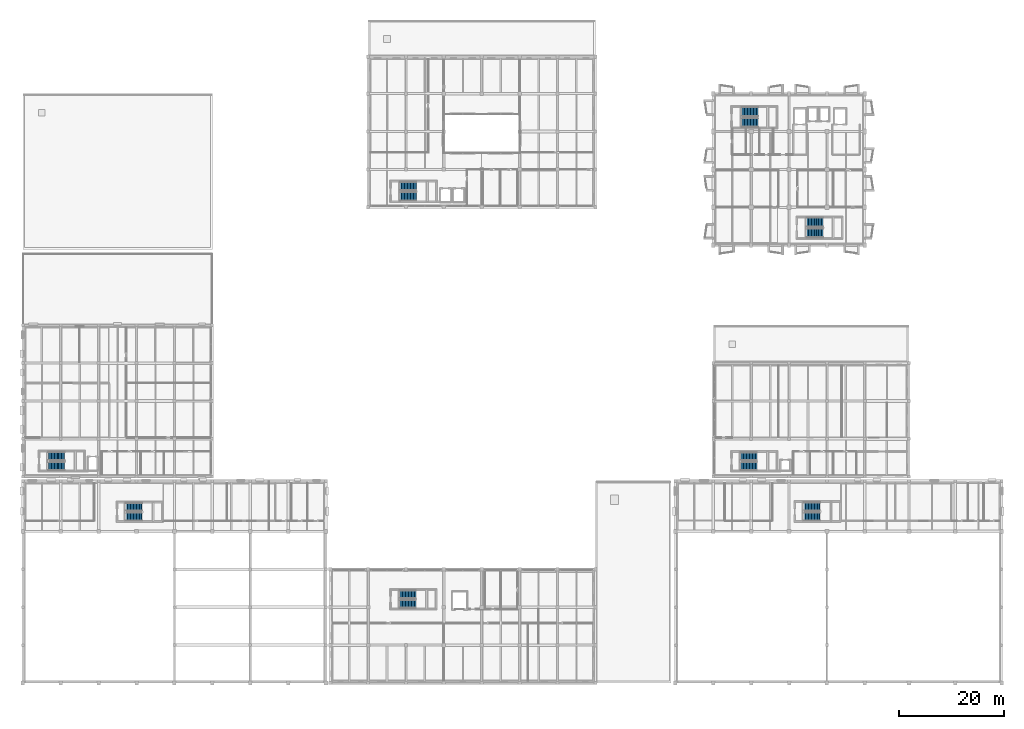
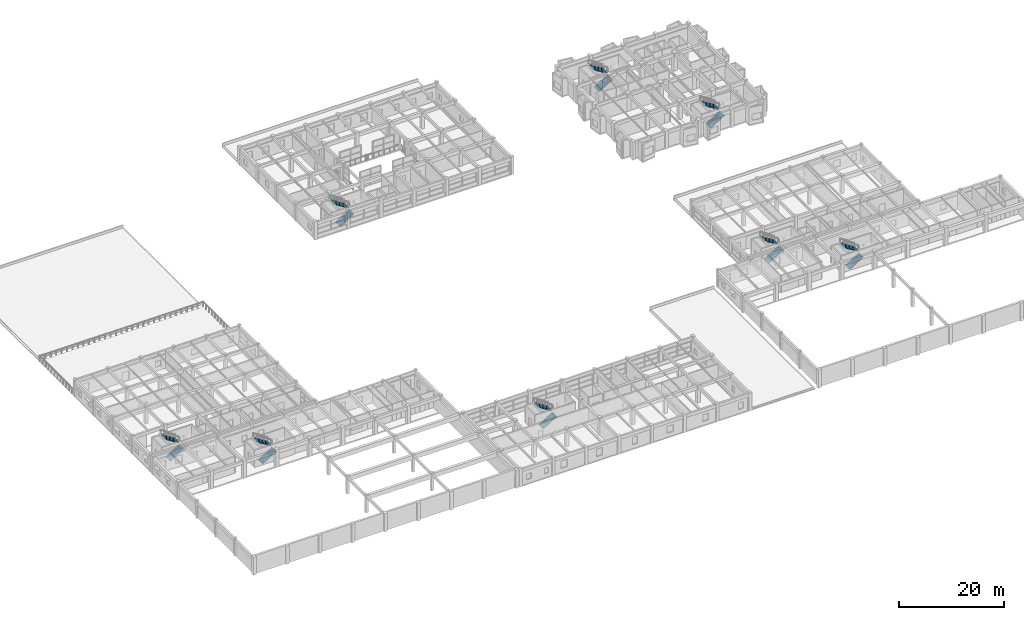
# One storey, part 58 of 67: 16 stair flights, 8 elements without a shape of their own.
"""IFC4 building model written with IfcOpenShell, lengths in metres."""

from ifc_helpers import new_model, si_unit, direction, frame, origin, place, context, subcontext, project, spatial, polyline, outline, extrude, material, type_object, element, aggregate, save


model = new_model("IFC4")

# Units and contexts
model_context = context("Model", 3, precision=1e-05, world=origin(), true_north=direction((0.0, 1.0)))
body_context = subcontext(model_context, "Body", "Model", "MODEL_VIEW")
ifc_project = project(units=[si_unit("LENGTHUNIT", "METRE"), si_unit("AREAUNIT", "SQUARE_METRE"), si_unit("VOLUMEUNIT", "CUBIC_METRE"), si_unit("PLANEANGLEUNIT", "RADIAN"), si_unit("MASSUNIT", "GRAM", prefix="KILO")], contexts=[model_context])

# Site, building, storey
site_placement = place(None, origin())
site = spatial("IfcSite", under=ifc_project, at=site_placement, CompositionType="ELEMENT")
building_placement = place(site_placement, origin())
building = spatial("IfcBuilding", under=site, at=building_placement, Name="Bramveld Media Centre", CompositionType="ELEMENT")
storey_placement = place(building_placement, frame((0.0, 0.0, 5.39990234375)))
storey = spatial("IfcBuildingStorey", under=building, at=storey_placement, Name="L01", CompositionType="ELEMENT", Elevation=5.39990234375)

# Stair, stair flights
ifc_material_1 = material(Name="Concrete C40/50", Category="concrete")
stair_type_1 = type_object("IfcStairType", Name="STAIR-ST-01-24R-1800", PredefinedType="HALF_TURN_STAIR", material=ifc_material_1)
stair_1_placement = place(storey_placement, origin())
stair_1 = element("IfcStair", 1, at=stair_1_placement, inside=storey, type_object=stair_type_1, Name="L01 Core A1 Pressurized Firefighting Stair", PredefinedType="HALF_TURN_STAIR")
ifc_material_2 = material(Name="Concrete C40/50", Category="concrete")
stair_flight_type_1 = type_object("IfcStairFlightType", Name="FLIGHT-ST-01-12R-1750", PredefinedType="STRAIGHT", material=ifc_material_2)
stair_flight_1_placement = place(storey_placement, frame((136.60009765625, 106.5, 0.0), z_axis=(0.0, 0.0, 1.0), x_axis=(1.0, 0.0, 0.0)))
stair_flight_1 = element("IfcStairFlight", 2, at=stair_flight_1_placement, type_object=stair_flight_type_1, Name="ST-01 flight 1", NumberOfRisers=12, NumberOfTreads=11, PredefinedType="STRAIGHT", RiserHeight=0.175, TreadLength=0.28, context=body_context, shape_type="SweptSolid", body=[
    extrude(outline(polyline([(0.0, 0.0), (0.0, 0.175048828125), (0.280029296875, 0.175048828125), (0.280029296875, 0.35009765625), (0.56005859375, 0.35009765625), (0.56005859375, 0.52490234375), (0.840087890625, 0.52490234375), (0.840087890625, 0.699951171875), (1.1201171875, 0.699951171875), (1.1201171875, 0.875), (1.39990234375, 0.875), (1.39990234375, 1.050048828125), (1.679931640625, 1.050048828125), (1.679931640625, 1.22509765625), (1.9599609375, 1.22509765625), (1.9599609375, 1.39990234375), (2.239990234375, 1.39990234375), (2.239990234375, 1.574951171875), (2.52001953125, 1.574951171875), (2.52001953125, 1.75), (2.800048828125, 1.75), (2.800048828125, 1.925048828125), (3.080078125, 1.925048828125), (3.080078125, 2.10009765625), (3.080078125, 1.736328125), (0.3017578125, 0.0), (0.0, 0.0)])), frame((0.0, 0.89990234375, 0.0), z_axis=(0.0, -1.0, 0.0), x_axis=(1.0, 0.0, 0.0)), (0.0, 0.0, 1.0), 1.800048828125),
])
stair_flight_2_placement = place(storey_placement, frame((139.679931640625, 108.550048828125, 2.10009765625), z_axis=(0.0, 0.0, 1.0), x_axis=(-1.0, 0.0, 0.0)))
stair_flight_2 = element("IfcStairFlight", 3, at=stair_flight_2_placement, type_object=stair_flight_type_1, Name="ST-01 flight 2", NumberOfRisers=12, NumberOfTreads=11, PredefinedType="STRAIGHT", RiserHeight=0.175, TreadLength=0.28, context=body_context, shape_type="SweptSolid", body=[
    extrude(outline(polyline([(0.0, 0.0), (0.0, 0.175048828125), (0.280029296875, 0.175048828125), (0.280029296875, 0.35009765625), (0.56005859375, 0.35009765625), (0.56005859375, 0.52490234375), (0.840087890625, 0.52490234375), (0.840087890625, 0.699951171875), (1.1201171875, 0.699951171875), (1.1201171875, 0.875), (1.39990234375, 0.875), (1.39990234375, 1.050048828125), (1.679931640625, 1.050048828125), (1.679931640625, 1.22509765625), (1.9599609375, 1.22509765625), (1.9599609375, 1.39990234375), (2.239990234375, 1.39990234375), (2.239990234375, 1.574951171875), (2.52001953125, 1.574951171875), (2.52001953125, 1.75), (2.800048828125, 1.75), (2.800048828125, 1.925048828125), (3.080078125, 1.925048828125), (3.080078125, 2.10009765625), (3.080078125, 1.736328125), (0.3017578125, 0.0), (0.0, 0.0)])), frame((0.0, 0.89990234375, 0.0), z_axis=(0.0, -1.0, 0.0), x_axis=(1.0, 0.0, 0.0)), (0.0, 0.0, 1.0), 1.800048828125),
])
aggregate(stair_1, [stair_flight_1, stair_flight_2])

ifc_material_3 = material(Name="Concrete C40/50", Category="concrete")
stair_type_2 = type_object("IfcStairType", Name="STAIR-ST-02-24R-1800", PredefinedType="HALF_TURN_STAIR", material=ifc_material_3)
stair_2_placement = place(storey_placement, origin())
stair_2 = element("IfcStair", 4, at=stair_2_placement, inside=storey, type_object=stair_type_2, Name="L01 Core A2 Pressurized Escape Stair", PredefinedType="HALF_TURN_STAIR")
ifc_material_4 = material(Name="Concrete C40/50", Category="concrete")
stair_flight_type_2 = type_object("IfcStairFlightType", Name="FLIGHT-ST-02-12R-1750", PredefinedType="STRAIGHT", material=ifc_material_4)
stair_flight_3_placement = place(storey_placement, frame((149.0, 85.5, 0.0), z_axis=(0.0, 0.0, 1.0), x_axis=(1.0, 0.0, 0.0)))
stair_flight_3 = element("IfcStairFlight", 5, at=stair_flight_3_placement, type_object=stair_flight_type_2, Name="ST-02 flight 1", NumberOfRisers=12, NumberOfTreads=11, PredefinedType="STRAIGHT", RiserHeight=0.175, TreadLength=0.28, context=body_context, shape_type="SweptSolid", body=[
    extrude(outline(polyline([(0.0, 0.0), (0.0, 0.175048828125), (0.280029296875, 0.175048828125), (0.280029296875, 0.35009765625), (0.56005859375, 0.35009765625), (0.56005859375, 0.52490234375), (0.840087890625, 0.52490234375), (0.840087890625, 0.699951171875), (1.1201171875, 0.699951171875), (1.1201171875, 0.875), (1.39990234375, 0.875), (1.39990234375, 1.050048828125), (1.679931640625, 1.050048828125), (1.679931640625, 1.22509765625), (1.9599609375, 1.22509765625), (1.9599609375, 1.39990234375), (2.239990234375, 1.39990234375), (2.239990234375, 1.574951171875), (2.52001953125, 1.574951171875), (2.52001953125, 1.75), (2.800048828125, 1.75), (2.800048828125, 1.925048828125), (3.080078125, 1.925048828125), (3.080078125, 2.10009765625), (3.080078125, 1.736328125), (0.3017578125, 0.0), (0.0, 0.0)])), frame((0.0, 0.89990234375, 0.0), z_axis=(0.0, -1.0, 0.0), x_axis=(1.0, 0.0, 0.0)), (0.0, 0.0, 1.0), 1.800048828125),
])
stair_flight_4_placement = place(storey_placement, frame((152.080078125, 87.550048828125, 2.10009765625), z_axis=(0.0, 0.0, 1.0), x_axis=(-1.0, 0.0, 0.0)))
stair_flight_4 = element("IfcStairFlight", 6, at=stair_flight_4_placement, type_object=stair_flight_type_2, Name="ST-02 flight 2", NumberOfRisers=12, NumberOfTreads=11, PredefinedType="STRAIGHT", RiserHeight=0.175, TreadLength=0.28, context=body_context, shape_type="SweptSolid", body=[
    extrude(outline(polyline([(0.0, 0.0), (0.0, 0.175048828125), (0.280029296875, 0.175048828125), (0.280029296875, 0.35009765625), (0.56005859375, 0.35009765625), (0.56005859375, 0.52490234375), (0.840087890625, 0.52490234375), (0.840087890625, 0.699951171875), (1.1201171875, 0.699951171875), (1.1201171875, 0.875), (1.39990234375, 0.875), (1.39990234375, 1.050048828125), (1.679931640625, 1.050048828125), (1.679931640625, 1.22509765625), (1.9599609375, 1.22509765625), (1.9599609375, 1.39990234375), (2.239990234375, 1.39990234375), (2.239990234375, 1.574951171875), (2.52001953125, 1.574951171875), (2.52001953125, 1.75), (2.800048828125, 1.75), (2.800048828125, 1.925048828125), (3.080078125, 1.925048828125), (3.080078125, 2.10009765625), (3.080078125, 1.736328125), (0.3017578125, 0.0), (0.0, 0.0)])), frame((0.0, 0.89990234375, 0.0), z_axis=(0.0, -1.0, 0.0), x_axis=(1.0, 0.0, 0.0)), (0.0, 0.0, 1.0), 1.800048828125),
])
aggregate(stair_2, [stair_flight_3, stair_flight_4])

ifc_material_5 = material(Name="Concrete C40/50", Category="concrete")
stair_type_3 = type_object("IfcStairType", Name="STAIR-ST-03-24R-1650", PredefinedType="HALF_TURN_STAIR", material=ifc_material_5)
stair_3_placement = place(storey_placement, origin())
stair_3 = element("IfcStair", 7, at=stair_3_placement, inside=storey, type_object=stair_type_3, Name="L01 Grand Cinema Wing Escape Stair", PredefinedType="HALF_TURN_STAIR")
ifc_material_6 = material(Name="Concrete C40/50", Category="concrete")
stair_flight_type_3 = type_object("IfcStairFlightType", Name="FLIGHT-ST-03-12R-1750", PredefinedType="STRAIGHT", material=ifc_material_6)
stair_flight_5_placement = place(storey_placement, frame((148.449951171875, 31.625, 0.0), z_axis=(0.0, 0.0, 1.0), x_axis=(1.0, 0.0, 0.0)))
stair_flight_5 = element("IfcStairFlight", 8, at=stair_flight_5_placement, type_object=stair_flight_type_3, Name="ST-03 flight 1", NumberOfRisers=12, NumberOfTreads=11, PredefinedType="STRAIGHT", RiserHeight=0.175, TreadLength=0.28, context=body_context, shape_type="SweptSolid", body=[
    extrude(outline(polyline([(0.0, 0.0), (0.0, 0.175048828125), (0.280029296875, 0.175048828125), (0.280029296875, 0.35009765625), (0.56005859375, 0.35009765625), (0.56005859375, 0.52490234375), (0.840087890625, 0.52490234375), (0.840087890625, 0.699951171875), (1.1201171875, 0.699951171875), (1.1201171875, 0.875), (1.39990234375, 0.875), (1.39990234375, 1.050048828125), (1.679931640625, 1.050048828125), (1.679931640625, 1.22509765625), (1.9599609375, 1.22509765625), (1.9599609375, 1.39990234375), (2.239990234375, 1.39990234375), (2.239990234375, 1.574951171875), (2.52001953125, 1.574951171875), (2.52001953125, 1.75), (2.800048828125, 1.75), (2.800048828125, 1.925048828125), (3.080078125, 1.925048828125), (3.080078125, 2.10009765625), (3.080078125, 1.736328125), (0.3017578125, 0.0), (0.0, 0.0)])), frame((0.0, 0.824951171875, 0.0), z_axis=(0.0, -1.0, 0.0), x_axis=(1.0, 0.0, 0.0)), (0.0, 0.0, 1.0), 1.64990234375),
])
stair_flight_6_placement = place(storey_placement, frame((151.530029296875, 33.52490234375, 2.10009765625), z_axis=(0.0, 0.0, 1.0), x_axis=(-1.0, 0.0, 0.0)))
stair_flight_6 = element("IfcStairFlight", 9, at=stair_flight_6_placement, type_object=stair_flight_type_3, Name="ST-03 flight 2", NumberOfRisers=12, NumberOfTreads=11, PredefinedType="STRAIGHT", RiserHeight=0.175, TreadLength=0.28, context=body_context, shape_type="SweptSolid", body=[
    extrude(outline(polyline([(0.0, 0.0), (0.0, 0.175048828125), (0.280029296875, 0.175048828125), (0.280029296875, 0.35009765625), (0.56005859375, 0.35009765625), (0.56005859375, 0.52490234375), (0.840087890625, 0.52490234375), (0.840087890625, 0.699951171875), (1.1201171875, 0.699951171875), (1.1201171875, 0.875), (1.39990234375, 0.875), (1.39990234375, 1.050048828125), (1.679931640625, 1.050048828125), (1.679931640625, 1.22509765625), (1.9599609375, 1.22509765625), (1.9599609375, 1.39990234375), (2.239990234375, 1.39990234375), (2.239990234375, 1.574951171875), (2.52001953125, 1.574951171875), (2.52001953125, 1.75), (2.800048828125, 1.75), (2.800048828125, 1.925048828125), (3.080078125, 1.925048828125), (3.080078125, 2.10009765625), (3.080078125, 1.736328125), (0.3017578125, 0.0), (0.0, 0.0)])), frame((0.0, 0.824951171875, 0.0), z_axis=(0.0, -1.0, 0.0), x_axis=(1.0, 0.0, 0.0)), (0.0, 0.0, 1.0), 1.64990234375),
])
aggregate(stair_3, [stair_flight_5, stair_flight_6])

ifc_material_7 = material(Name="Concrete C40/50", Category="concrete")
stair_type_4 = type_object("IfcStairType", Name="STAIR-ST-04-24R-1650", PredefinedType="HALF_TURN_STAIR", material=ifc_material_7)
stair_4_placement = place(storey_placement, origin())
stair_4 = element("IfcStair", 10, at=stair_4_placement, inside=storey, type_object=stair_type_4, Name="L01 Repertory Cinema & Rooftop Terrace Stair", PredefinedType="HALF_TURN_STAIR")
ifc_material_8 = material(Name="Concrete C40/50", Category="concrete")
stair_flight_type_4 = type_object("IfcStairFlightType", Name="FLIGHT-ST-04-12R-1750", PredefinedType="STRAIGHT", material=ifc_material_8)
stair_flight_7_placement = place(storey_placement, frame((4.85009765625, 41.22509765625, 0.0), z_axis=(0.0, 0.0, 1.0), x_axis=(1.0, 0.0, 0.0)))
stair_flight_7 = element("IfcStairFlight", 11, at=stair_flight_7_placement, type_object=stair_flight_type_4, Name="ST-04 flight 1", NumberOfRisers=12, NumberOfTreads=11, PredefinedType="STRAIGHT", RiserHeight=0.175, TreadLength=0.28, context=body_context, shape_type="SweptSolid", body=[
    extrude(outline(polyline([(0.0, 0.0), (0.0, 0.175048828125), (0.280029296875, 0.175048828125), (0.280029296875, 0.35009765625), (0.56005859375, 0.35009765625), (0.56005859375, 0.52490234375), (0.840087890625, 0.52490234375), (0.840087890625, 0.699951171875), (1.1201171875, 0.699951171875), (1.1201171875, 0.875), (1.39990234375, 0.875), (1.39990234375, 1.050048828125), (1.679931640625, 1.050048828125), (1.679931640625, 1.22509765625), (1.9599609375, 1.22509765625), (1.9599609375, 1.39990234375), (2.239990234375, 1.39990234375), (2.239990234375, 1.574951171875), (2.52001953125, 1.574951171875), (2.52001953125, 1.75), (2.800048828125, 1.75), (2.800048828125, 1.925048828125), (3.080078125, 1.925048828125), (3.080078125, 2.10009765625), (3.080078125, 1.736328125), (0.3017578125, 0.0), (0.0, 0.0)])), frame((0.0, 0.824951171875, 0.0), z_axis=(0.0, -1.0, 0.0), x_axis=(1.0, 0.0, 0.0)), (0.0, 0.0, 1.0), 1.64990234375),
])
stair_flight_8_placement = place(storey_placement, frame((7.929931640625, 43.125, 2.10009765625), z_axis=(0.0, 0.0, 1.0), x_axis=(-1.0, 0.0, 0.0)))
stair_flight_8 = element("IfcStairFlight", 12, at=stair_flight_8_placement, type_object=stair_flight_type_4, Name="ST-04 flight 2", NumberOfRisers=12, NumberOfTreads=11, PredefinedType="STRAIGHT", RiserHeight=0.175, TreadLength=0.28, context=body_context, shape_type="SweptSolid", body=[
    extrude(outline(polyline([(0.0, 0.0), (0.0, 0.175048828125), (0.280029296875, 0.175048828125), (0.280029296875, 0.35009765625), (0.56005859375, 0.35009765625), (0.56005859375, 0.52490234375), (0.840087890625, 0.52490234375), (0.840087890625, 0.699951171875), (1.1201171875, 0.699951171875), (1.1201171875, 0.875), (1.39990234375, 0.875), (1.39990234375, 1.050048828125), (1.679931640625, 1.050048828125), (1.679931640625, 1.22509765625), (1.9599609375, 1.22509765625), (1.9599609375, 1.39990234375), (2.239990234375, 1.39990234375), (2.239990234375, 1.574951171875), (2.52001953125, 1.574951171875), (2.52001953125, 1.75), (2.800048828125, 1.75), (2.800048828125, 1.925048828125), (3.080078125, 1.925048828125), (3.080078125, 2.10009765625), (3.080078125, 1.736328125), (0.3017578125, 0.0), (0.0, 0.0)])), frame((0.0, 0.824951171875, 0.0), z_axis=(0.0, -1.0, 0.0), x_axis=(1.0, 0.0, 0.0)), (0.0, 0.0, 1.0), 1.64990234375),
])
aggregate(stair_4, [stair_flight_7, stair_flight_8])

ifc_material_9 = material(Name="Concrete C40/50", Category="concrete")
stair_type_5 = type_object("IfcStairType", Name="STAIR-ST-05-24R-1600", PredefinedType="HALF_TURN_STAIR", material=ifc_material_9)
stair_5_placement = place(storey_placement, origin())
stair_5 = element("IfcStair", 13, at=stair_5_placement, inside=storey, type_object=stair_type_5, Name="L01 Broadcast Studio Gallery Stair", PredefinedType="HALF_TURN_STAIR")
ifc_material_10 = material(Name="Concrete C40/50", Category="concrete")
stair_flight_type_5 = type_object("IfcStairFlightType", Name="FLIGHT-ST-05-12R-1750", PredefinedType="STRAIGHT", material=ifc_material_10)
stair_flight_9_placement = place(storey_placement, frame((19.60009765625, 31.60009765625, 0.0), z_axis=(0.0, 0.0, 1.0), x_axis=(1.0, 0.0, 0.0)))
stair_flight_9 = element("IfcStairFlight", 14, at=stair_flight_9_placement, type_object=stair_flight_type_5, Name="ST-05 flight 1", NumberOfRisers=12, NumberOfTreads=11, PredefinedType="STRAIGHT", RiserHeight=0.175, TreadLength=0.28, context=body_context, shape_type="SweptSolid", body=[
    extrude(outline(polyline([(0.0, 0.0), (0.0, 0.175048828125), (0.280029296875, 0.175048828125), (0.280029296875, 0.35009765625), (0.56005859375, 0.35009765625), (0.56005859375, 0.52490234375), (0.840087890625, 0.52490234375), (0.840087890625, 0.699951171875), (1.1201171875, 0.699951171875), (1.1201171875, 0.875), (1.39990234375, 0.875), (1.39990234375, 1.050048828125), (1.679931640625, 1.050048828125), (1.679931640625, 1.22509765625), (1.9599609375, 1.22509765625), (1.9599609375, 1.39990234375), (2.239990234375, 1.39990234375), (2.239990234375, 1.574951171875), (2.52001953125, 1.574951171875), (2.52001953125, 1.75), (2.800048828125, 1.75), (2.800048828125, 1.925048828125), (3.080078125, 1.925048828125), (3.080078125, 2.10009765625), (3.080078125, 1.736328125), (0.3017578125, 0.0), (0.0, 0.0)])), frame((0.0, 0.800048828125, 0.0), z_axis=(0.0, -1.0, 0.0), x_axis=(1.0, 0.0, 0.0)), (0.0, 0.0, 1.0), 1.60009765625),
])
stair_flight_10_placement = place(storey_placement, frame((22.679931640625, 33.449951171875, 2.10009765625), z_axis=(0.0, 0.0, 1.0), x_axis=(-1.0, 0.0, 0.0)))
stair_flight_10 = element("IfcStairFlight", 15, at=stair_flight_10_placement, type_object=stair_flight_type_5, Name="ST-05 flight 2", NumberOfRisers=12, NumberOfTreads=11, PredefinedType="STRAIGHT", RiserHeight=0.175, TreadLength=0.28, context=body_context, shape_type="SweptSolid", body=[
    extrude(outline(polyline([(0.0, 0.0), (0.0, 0.175048828125), (0.280029296875, 0.175048828125), (0.280029296875, 0.35009765625), (0.56005859375, 0.35009765625), (0.56005859375, 0.52490234375), (0.840087890625, 0.52490234375), (0.840087890625, 0.699951171875), (1.1201171875, 0.699951171875), (1.1201171875, 0.875), (1.39990234375, 0.875), (1.39990234375, 1.050048828125), (1.679931640625, 1.050048828125), (1.679931640625, 1.22509765625), (1.9599609375, 1.22509765625), (1.9599609375, 1.39990234375), (2.239990234375, 1.39990234375), (2.239990234375, 1.574951171875), (2.52001953125, 1.574951171875), (2.52001953125, 1.75), (2.800048828125, 1.75), (2.800048828125, 1.925048828125), (3.080078125, 1.925048828125), (3.080078125, 2.10009765625), (3.080078125, 1.736328125), (0.3017578125, 0.0), (0.0, 0.0)])), frame((0.0, 0.800048828125, 0.0), z_axis=(0.0, -1.0, 0.0), x_axis=(1.0, 0.0, 0.0)), (0.0, 0.0, 1.0), 1.60009765625),
])
aggregate(stair_5, [stair_flight_9, stair_flight_10])

ifc_material_11 = material(Name="Concrete C40/50", Category="concrete")
stair_type_6 = type_object("IfcStairType", Name="STAIR-ST-06-24R-1600", PredefinedType="HALF_TURN_STAIR", material=ifc_material_11)
stair_6_placement = place(storey_placement, origin())
stair_6 = element("IfcStair", 16, at=stair_6_placement, inside=storey, type_object=stair_type_6, Name="L01 Mediatheque & Vault Wing Stair", PredefinedType="HALF_TURN_STAIR")
ifc_material_12 = material(Name="Concrete C40/50", Category="concrete")
stair_flight_type_6 = type_object("IfcStairFlightType", Name="FLIGHT-ST-06-12R-1750", PredefinedType="STRAIGHT", material=ifc_material_12)
stair_flight_11_placement = place(storey_placement, frame((71.60009765625, 15.0, 0.0), z_axis=(0.0, 0.0, 1.0), x_axis=(1.0, 0.0, 0.0)))
stair_flight_11 = element("IfcStairFlight", 17, at=stair_flight_11_placement, type_object=stair_flight_type_6, Name="ST-06 flight 1", NumberOfRisers=12, NumberOfTreads=11, PredefinedType="STRAIGHT", RiserHeight=0.175, TreadLength=0.28, context=body_context, shape_type="SweptSolid", body=[
    extrude(outline(polyline([(0.0, 0.0), (0.0, 0.175048828125), (0.280029296875, 0.175048828125), (0.280029296875, 0.35009765625), (0.56005859375, 0.35009765625), (0.56005859375, 0.52490234375), (0.840087890625, 0.52490234375), (0.840087890625, 0.699951171875), (1.1201171875, 0.699951171875), (1.1201171875, 0.875), (1.39990234375, 0.875), (1.39990234375, 1.050048828125), (1.679931640625, 1.050048828125), (1.679931640625, 1.22509765625), (1.9599609375, 1.22509765625), (1.9599609375, 1.39990234375), (2.239990234375, 1.39990234375), (2.239990234375, 1.574951171875), (2.52001953125, 1.574951171875), (2.52001953125, 1.75), (2.800048828125, 1.75), (2.800048828125, 1.925048828125), (3.080078125, 1.925048828125), (3.080078125, 2.10009765625), (3.080078125, 1.736328125), (0.3017578125, 0.0), (0.0, 0.0)])), frame((0.0, 0.800048828125, 0.0), z_axis=(0.0, -1.0, 0.0), x_axis=(1.0, 0.0, 0.0)), (0.0, 0.0, 1.0), 1.60009765625),
])
stair_flight_12_placement = place(storey_placement, frame((74.679931640625, 16.85009765625, 2.10009765625), z_axis=(0.0, 0.0, 1.0), x_axis=(-1.0, 0.0, 0.0)))
stair_flight_12 = element("IfcStairFlight", 18, at=stair_flight_12_placement, type_object=stair_flight_type_6, Name="ST-06 flight 2", NumberOfRisers=12, NumberOfTreads=11, PredefinedType="STRAIGHT", RiserHeight=0.175, TreadLength=0.28, context=body_context, shape_type="SweptSolid", body=[
    extrude(outline(polyline([(0.0, 0.0), (0.0, 0.175048828125), (0.280029296875, 0.175048828125), (0.280029296875, 0.35009765625), (0.56005859375, 0.35009765625), (0.56005859375, 0.52490234375), (0.840087890625, 0.52490234375), (0.840087890625, 0.699951171875), (1.1201171875, 0.699951171875), (1.1201171875, 0.875), (1.39990234375, 0.875), (1.39990234375, 1.050048828125), (1.679931640625, 1.050048828125), (1.679931640625, 1.22509765625), (1.9599609375, 1.22509765625), (1.9599609375, 1.39990234375), (2.239990234375, 1.39990234375), (2.239990234375, 1.574951171875), (2.52001953125, 1.574951171875), (2.52001953125, 1.75), (2.800048828125, 1.75), (2.800048828125, 1.925048828125), (3.080078125, 1.925048828125), (3.080078125, 2.10009765625), (3.080078125, 1.736328125), (0.3017578125, 0.0), (0.0, 0.0)])), frame((0.0, 0.800048828125, 0.0), z_axis=(0.0, -1.0, 0.0), x_axis=(1.0, 0.0, 0.0)), (0.0, 0.0, 1.0), 1.60009765625),
])
aggregate(stair_6, [stair_flight_11, stair_flight_12])

ifc_material_13 = material(Name="Concrete C40/50", Category="concrete")
stair_type_7 = type_object("IfcStairType", Name="STAIR-ST-07-24R-1700", PredefinedType="HALF_TURN_STAIR", material=ifc_material_13)
stair_7_placement = place(storey_placement, origin())
stair_7 = element("IfcStair", 19, at=stair_7_placement, inside=storey, type_object=stair_type_7, Name="L01 Exhibition & Sound Lab Primary Stair", PredefinedType="HALF_TURN_STAIR")
ifc_material_14 = material(Name="Concrete C40/50", Category="concrete")
stair_flight_type_7 = type_object("IfcStairFlightType", Name="FLIGHT-ST-07-12R-1750", PredefinedType="STRAIGHT", material=ifc_material_14)
stair_flight_13_placement = place(storey_placement, frame((71.699951171875, 92.449951171875, 0.0), z_axis=(0.0, 0.0, 1.0), x_axis=(1.0, 0.0, 0.0)))
stair_flight_13 = element("IfcStairFlight", 20, at=stair_flight_13_placement, type_object=stair_flight_type_7, Name="ST-07 flight 1", NumberOfRisers=12, NumberOfTreads=11, PredefinedType="STRAIGHT", RiserHeight=0.175, TreadLength=0.28, context=body_context, shape_type="SweptSolid", body=[
    extrude(outline(polyline([(0.0, 0.0), (0.0, 0.175048828125), (0.280029296875, 0.175048828125), (0.280029296875, 0.35009765625), (0.56005859375, 0.35009765625), (0.56005859375, 0.52490234375), (0.840087890625, 0.52490234375), (0.840087890625, 0.699951171875), (1.1201171875, 0.699951171875), (1.1201171875, 0.875), (1.39990234375, 0.875), (1.39990234375, 1.050048828125), (1.679931640625, 1.050048828125), (1.679931640625, 1.22509765625), (1.9599609375, 1.22509765625), (1.9599609375, 1.39990234375), (2.239990234375, 1.39990234375), (2.239990234375, 1.574951171875), (2.52001953125, 1.574951171875), (2.52001953125, 1.75), (2.800048828125, 1.75), (2.800048828125, 1.925048828125), (3.080078125, 1.925048828125), (3.080078125, 2.10009765625), (3.080078125, 1.736328125), (0.3017578125, 0.0), (0.0, 0.0)])), frame((0.0, 0.85009765625, 0.0), z_axis=(0.0, -1.0, 0.0), x_axis=(1.0, 0.0, 0.0)), (0.0, 0.0, 1.0), 1.699951171875),
])
stair_flight_14_placement = place(storey_placement, frame((74.780029296875, 94.39990234375, 2.10009765625), z_axis=(0.0, 0.0, 1.0), x_axis=(-1.0, 0.0, 0.0)))
stair_flight_14 = element("IfcStairFlight", 21, at=stair_flight_14_placement, type_object=stair_flight_type_7, Name="ST-07 flight 2", NumberOfRisers=12, NumberOfTreads=11, PredefinedType="STRAIGHT", RiserHeight=0.175, TreadLength=0.28, context=body_context, shape_type="SweptSolid", body=[
    extrude(outline(polyline([(0.0, 0.0), (0.0, 0.175048828125), (0.280029296875, 0.175048828125), (0.280029296875, 0.35009765625), (0.56005859375, 0.35009765625), (0.56005859375, 0.52490234375), (0.840087890625, 0.52490234375), (0.840087890625, 0.699951171875), (1.1201171875, 0.699951171875), (1.1201171875, 0.875), (1.39990234375, 0.875), (1.39990234375, 1.050048828125), (1.679931640625, 1.050048828125), (1.679931640625, 1.22509765625), (1.9599609375, 1.22509765625), (1.9599609375, 1.39990234375), (2.239990234375, 1.39990234375), (2.239990234375, 1.574951171875), (2.52001953125, 1.574951171875), (2.52001953125, 1.75), (2.800048828125, 1.75), (2.800048828125, 1.925048828125), (3.080078125, 1.925048828125), (3.080078125, 2.10009765625), (3.080078125, 1.736328125), (0.3017578125, 0.0), (0.0, 0.0)])), frame((0.0, 0.85009765625, 0.0), z_axis=(0.0, -1.0, 0.0), x_axis=(1.0, 0.0, 0.0)), (0.0, 0.0, 1.0), 1.699951171875),
])
aggregate(stair_7, [stair_flight_13, stair_flight_14])

ifc_material_15 = material(Name="Concrete C40/50", Category="concrete")
stair_type_8 = type_object("IfcStairType", Name="STAIR-ST-08-24R-1600", PredefinedType="HALF_TURN_STAIR", material=ifc_material_15)
stair_8_placement = place(storey_placement, origin())
stair_8 = element("IfcStair", 22, at=stair_8_placement, inside=storey, type_object=stair_type_8, Name="L01 Post-Production & Education Wing Stair", PredefinedType="HALF_TURN_STAIR")
ifc_material_16 = material(Name="Concrete C40/50", Category="concrete")
stair_flight_type_8 = type_object("IfcStairFlightType", Name="FLIGHT-ST-08-12R-1750", PredefinedType="STRAIGHT", material=ifc_material_16)
stair_flight_15_placement = place(storey_placement, frame((136.39990234375, 41.199951171875, 0.0), z_axis=(0.0, 0.0, 1.0), x_axis=(1.0, 0.0, 0.0)))
stair_flight_15 = element("IfcStairFlight", 23, at=stair_flight_15_placement, type_object=stair_flight_type_8, Name="ST-08 flight 1", NumberOfRisers=12, NumberOfTreads=11, PredefinedType="STRAIGHT", RiserHeight=0.175, TreadLength=0.28, context=body_context, shape_type="SweptSolid", body=[
    extrude(outline(polyline([(0.0, 0.0), (0.0, 0.175048828125), (0.280029296875, 0.175048828125), (0.280029296875, 0.35009765625), (0.56005859375, 0.35009765625), (0.56005859375, 0.52490234375), (0.840087890625, 0.52490234375), (0.840087890625, 0.699951171875), (1.1201171875, 0.699951171875), (1.1201171875, 0.875), (1.39990234375, 0.875), (1.39990234375, 1.050048828125), (1.679931640625, 1.050048828125), (1.679931640625, 1.22509765625), (1.9599609375, 1.22509765625), (1.9599609375, 1.39990234375), (2.239990234375, 1.39990234375), (2.239990234375, 1.574951171875), (2.52001953125, 1.574951171875), (2.52001953125, 1.75), (2.800048828125, 1.75), (2.800048828125, 1.925048828125), (3.080078125, 1.925048828125), (3.080078125, 2.10009765625), (3.080078125, 1.736328125), (0.3017578125, 0.0), (0.0, 0.0)])), frame((0.0, 0.800048828125, 0.0), z_axis=(0.0, -1.0, 0.0), x_axis=(1.0, 0.0, 0.0)), (0.0, 0.0, 1.0), 1.60009765625),
])
stair_flight_16_placement = place(storey_placement, frame((139.47998046875, 43.050048828125, 2.10009765625), z_axis=(0.0, 0.0, 1.0), x_axis=(-1.0, 0.0, 0.0)))
stair_flight_16 = element("IfcStairFlight", 24, at=stair_flight_16_placement, type_object=stair_flight_type_8, Name="ST-08 flight 2", NumberOfRisers=12, NumberOfTreads=11, PredefinedType="STRAIGHT", RiserHeight=0.175, TreadLength=0.28, context=body_context, shape_type="SweptSolid", body=[
    extrude(outline(polyline([(0.0, 0.0), (0.0, 0.175048828125), (0.280029296875, 0.175048828125), (0.280029296875, 0.35009765625), (0.56005859375, 0.35009765625), (0.56005859375, 0.52490234375), (0.840087890625, 0.52490234375), (0.840087890625, 0.699951171875), (1.1201171875, 0.699951171875), (1.1201171875, 0.875), (1.39990234375, 0.875), (1.39990234375, 1.050048828125), (1.679931640625, 1.050048828125), (1.679931640625, 1.22509765625), (1.9599609375, 1.22509765625), (1.9599609375, 1.39990234375), (2.239990234375, 1.39990234375), (2.239990234375, 1.574951171875), (2.52001953125, 1.574951171875), (2.52001953125, 1.75), (2.800048828125, 1.75), (2.800048828125, 1.925048828125), (3.080078125, 1.925048828125), (3.080078125, 2.10009765625), (3.080078125, 1.736328125), (0.3017578125, 0.0), (0.0, 0.0)])), frame((0.0, 0.800048828125, 0.0), z_axis=(0.0, -1.0, 0.0), x_axis=(1.0, 0.0, 0.0)), (0.0, 0.0, 1.0), 1.60009765625),
])
aggregate(stair_8, [stair_flight_15, stair_flight_16])

save(model, "model.ifc")
